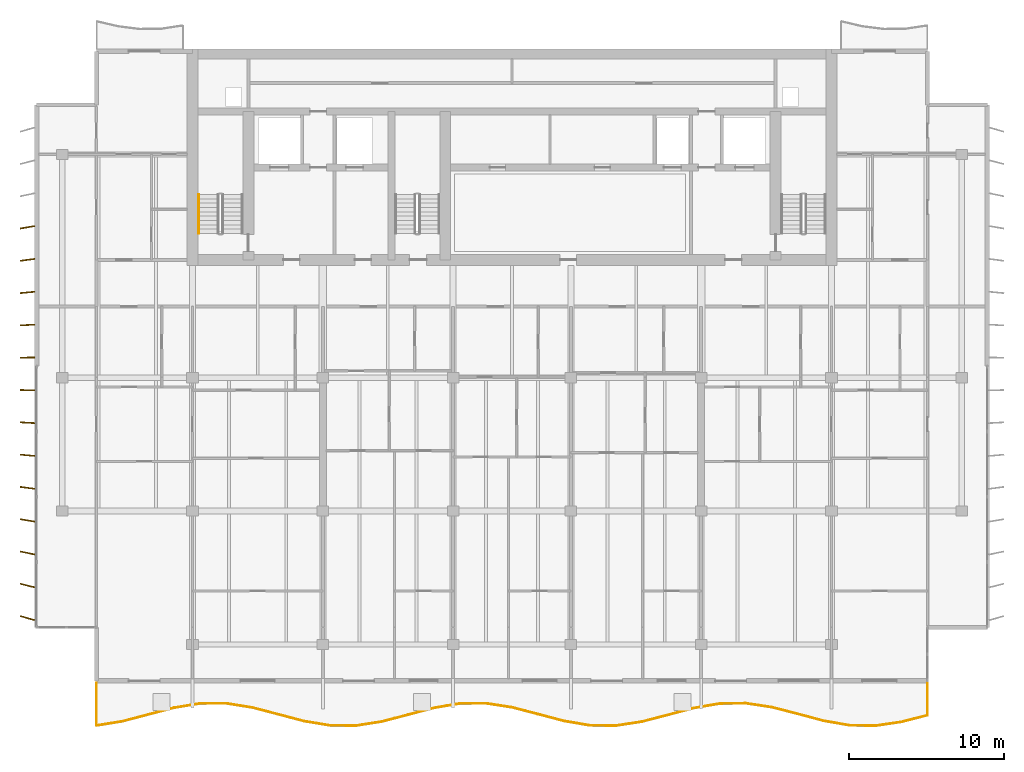
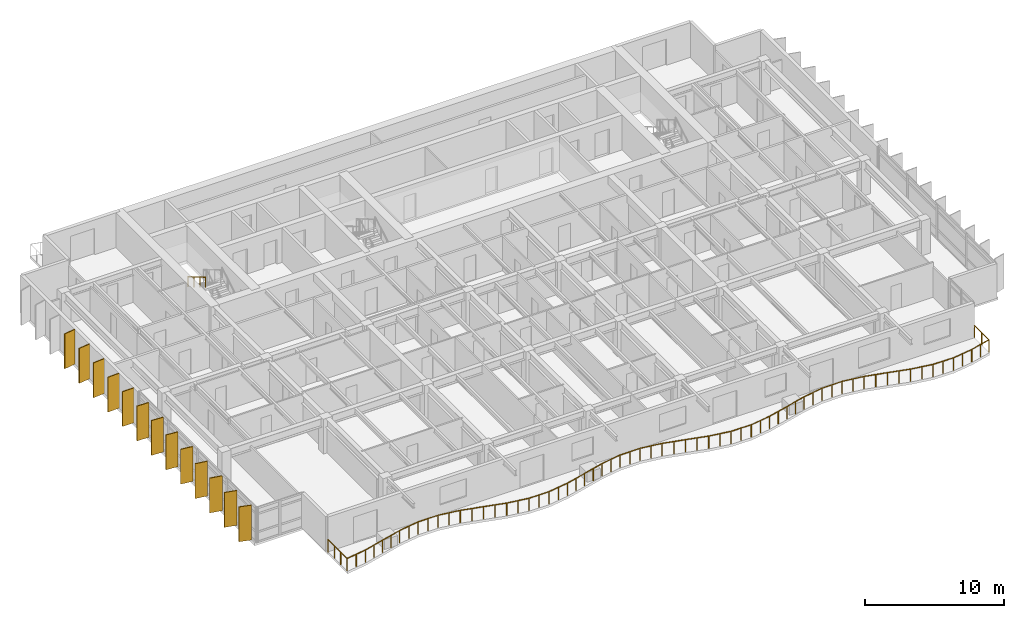
# One storey, part 12 of 17: 13 shading devices, 2 railings.
"""IFC4 building model written with IfcOpenShell, lengths in metres."""

from ifc_helpers import new_model, si_unit, direction, frame, origin, origin_2d, place, context, subcontext, project, spatial, rectangle, circle, extrude, material, material_profile, profile_set, type_object, element, save


model = new_model("IFC4")

# Units and contexts
model_context = context("Model", 3, precision=1e-05, world=origin(), true_north=direction((0.0, 1.0)))
body_context = subcontext(model_context, "Body", "Model", "MODEL_VIEW")
ifc_project = project(units=[si_unit("LENGTHUNIT", "METRE"), si_unit("AREAUNIT", "SQUARE_METRE"), si_unit("VOLUMEUNIT", "CUBIC_METRE"), si_unit("PLANEANGLEUNIT", "RADIAN"), si_unit("MASSUNIT", "GRAM", prefix="KILO")], contexts=[model_context])

# Site, building, storey
site_placement = place(None, origin())
site = spatial("IfcSite", under=ifc_project, at=site_placement, CompositionType="ELEMENT")
building_placement = place(site_placement, origin())
building = spatial("IfcBuilding", under=site, at=building_placement, Name="Caelmar Bay Residences", CompositionType="ELEMENT")
storey_placement = place(building_placement, frame((0.0, 0.0, 236.39990234375)))
storey = spatial("IfcBuildingStorey", under=building, at=storey_placement, Name="L66", CompositionType="ELEMENT", Elevation=236.39990234375)

# Railings
ifc_material_1 = material(Name="Anodised bronze handrail with laminated hurricane glass infill", Category="glass")
railing_type_1 = type_object("IfcRailingType", Name="RL-BAL-1100", PredefinedType="BALUSTRADE", material=ifc_material_1)
railing_1_placement = place(storey_placement, frame((12.10009765625, 9.699951171875, 0.0)))
element("IfcRailing", 1, at=railing_1_placement, inside=storey, type_object=railing_type_1, Name="L66 south Balcony Balustrade", PredefinedType="BALUSTRADE", context=body_context, shape_type="SweptSolid", body=[
    extrude(circle(Radius=0.02392578125, at=origin_2d()), frame((0.0, 0.0, 1.076171875), z_axis=(0.0, -1.0, 0.0), x_axis=(1.0, 0.0, 0.0)), (0.0, 0.0, 1.0), 2.733154296875),
    extrude(circle(Radius=0.02392578125, at=origin_2d()), frame((0.0, -2.733154296875, 1.076171875), z_axis=(0.987138026326, 0.15987031301, 0.0), x_axis=(-0.15987031301, 0.987138026326, 0.0)), (0.0, 0.0, 1.0), 1.696533203125),
    extrude(circle(Radius=0.02392578125, at=origin_2d()), frame((1.6748046875, -2.4619140625, 1.076171875), z_axis=(0.967300607589, 0.25363267644, 0.0), x_axis=(-0.25363267644, 0.967300607589, 0.0)), (0.0, 0.0, 1.0), 1.731689453125),
    extrude(circle(Radius=0.02392578125, at=origin_2d()), frame((3.349853515625, -2.022705078125, 1.076171875), z_axis=(0.967162126657, 0.25416022655, 0.0), x_axis=(-0.25416022655, 0.967162126657, 0.0)), (0.0, 0.0, 1.0), 1.73193359375),
    extrude(circle(Radius=0.02392578125, at=origin_2d()), frame((5.02490234375, -1.58251953125, 1.076171875), z_axis=(0.986867913487, 0.161529320339, 0.0), x_axis=(-0.161529320339, 0.986867913487, 0.0)), (0.0, 0.0, 1.0), 1.697265625),
    extrude(circle(Radius=0.02392578125, at=origin_2d()), frame((6.699951171875, -1.308349609375, 1.076171875), z_axis=(0.999997280849, 0.00233201523, 0.0), x_axis=(-0.00233201523, 0.999997280849, 0.0)), (0.0, 0.0, 1.0), 1.675048828125),
    extrude(circle(Radius=0.02392578125, at=origin_2d()), frame((8.375, -1.304443359375, 1.076171875), z_axis=(0.987454102, -0.157906290072, 0.0), x_axis=(0.157906290072, 0.987454102, 0.0)), (0.0, 0.0, 1.0), 1.696044921875),
    extrude(circle(Radius=0.02392578125, at=origin_2d()), frame((10.0498046875, -1.572265625, 1.076171875), z_axis=(0.967473359595, -0.252972920436, 0.0), x_axis=(0.252972920436, 0.967473359595, 0.0)), (0.0, 0.0, 1.0), 1.7314453125),
    extrude(circle(Radius=0.02392578125, at=origin_2d()), frame((11.724853515625, -2.01025390625, 1.076171875), z_axis=(0.966988676914, -0.254819345264, 0.0), x_axis=(0.254819345264, 0.966988676914, 0.0)), (0.0, 0.0, 1.0), 1.732177734375),
    extrude(circle(Radius=0.02392578125, at=origin_2d()), frame((13.39990234375, -2.45166015625, 1.076171875), z_axis=(0.986545067367, -0.163489541116, 0.0), x_axis=(0.163489541116, 0.986545067367, 0.0)), (0.0, 0.0, 1.0), 1.697998046875),
    extrude(circle(Radius=0.02392578125, at=origin_2d()), frame((15.074951171875, -2.729248046875, 1.076171875), z_axis=(0.999987721509, -0.004955484992, 0.0), x_axis=(0.004955484992, 0.999987721509, 0.0)), (0.0, 0.0, 1.0), 1.675048828125),
    extrude(circle(Radius=0.02392578125, at=origin_2d()), frame((16.75, -2.737548828125, 1.076171875), z_axis=(0.987766467522, 0.155940391301, 0.0), x_axis=(-0.155940391301, 0.987766467522, 0.0)), (0.0, 0.0, 1.0), 1.695556640625),
    extrude(circle(Radius=0.02392578125, at=origin_2d()), frame((18.4248046875, -2.47314453125, 1.076171875), z_axis=(0.967714559403, 0.252048668948, 0.0), x_axis=(-0.252048668948, 0.967714559403, 0.0)), (0.0, 0.0, 1.0), 1.73095703125),
    extrude(circle(Radius=0.02392578125, at=origin_2d()), frame((20.099853515625, -2.036865234375, 1.076171875), z_axis=(0.966780026886, 0.255609819089, 0.0), x_axis=(-0.255609819089, 0.966780026886, 0.0)), (0.0, 0.0, 1.0), 1.732666015625),
    extrude(circle(Radius=0.02392578125, at=origin_2d()), frame((21.77490234375, -1.593994140625, 1.076171875), z_axis=(0.986218543932, 0.16544782744, 0.0), x_axis=(-0.16544782744, 0.986218543932, 0.0)), (0.0, 0.0, 1.0), 1.698486328125),
    extrude(circle(Radius=0.02392578125, at=origin_2d()), frame((23.449951171875, -1.31298828125, 1.076171875), z_axis=(0.999972374031, 0.007433113406, 0.0), x_axis=(-0.007433113406, 0.999972374031, 0.0)), (0.0, 0.0, 1.0), 1.675048828125),
    extrude(circle(Radius=0.02392578125, at=origin_2d()), frame((25.125, -1.300537109375, 1.076171875), z_axis=(0.988118899604, -0.153691379866, 0.0), x_axis=(0.153691379866, 0.988118899604, 0.0)), (0.0, 0.0, 1.0), 1.69482421875),
    extrude(circle(Radius=0.02392578125, at=origin_2d()), frame((26.7998046875, -1.56103515625, 1.076171875), z_axis=(0.967886377615, -0.251388066595, 0.0), x_axis=(0.251388066595, 0.967886377615, 0.0)), (0.0, 0.0, 1.0), 1.730712890625),
    extrude(circle(Radius=0.02392578125, at=origin_2d()), frame((28.474853515625, -1.99609375, 1.076171875), z_axis=(0.966605727396, -0.256268155973, 0.0), x_axis=(0.256268155973, 0.966605727396, 0.0)), (0.0, 0.0, 1.0), 1.73291015625),
    extrude(circle(Radius=0.02392578125, at=origin_2d()), frame((30.14990234375, -2.440185546875, 1.076171875), z_axis=(0.985888354551, -0.167404158731, 0.0), x_axis=(0.167404158731, 0.985888354551, 0.0)), (0.0, 0.0, 1.0), 1.698974609375),
    extrude(circle(Radius=0.02392578125, at=origin_2d()), frame((31.824951171875, -2.724609375, 1.076171875), z_axis=(0.99994943379, -0.010056334489, 0.0), x_axis=(0.010056334489, 0.99994943379, 0.0)), (0.0, 0.0, 1.0), 1.675048828125),
    extrude(circle(Radius=0.02392578125, at=origin_2d()), frame((33.5, -2.741455078125, 1.076171875), z_axis=(0.988401660792, 0.151862295988, 0.0), x_axis=(-0.151862295988, 0.988401660792, 0.0)), (0.0, 0.0, 1.0), 1.6943359375),
    extrude(circle(Radius=0.02392578125, at=origin_2d()), frame((35.1748046875, -2.484130859375, 1.076171875), z_axis=(0.968126267336, 0.250462632928, 0.0), x_axis=(-0.250462632928, 0.968126267336, 0.0)), (0.0, 0.0, 1.0), 1.730224609375),
    extrude(circle(Radius=0.02392578125, at=origin_2d()), frame((36.849853515625, -2.05078125, 1.076171875), z_axis=(0.96646601047, 0.25679456888, 0.0), x_axis=(-0.25679456888, 0.96646601047, 0.0)), (0.0, 0.0, 1.0), 1.733154296875),
    extrude(circle(Radius=0.02392578125, at=origin_2d()), frame((38.52490234375, -1.605712890625, 1.076171875), z_axis=(0.985554510699, 0.169358514519, 0.0), x_axis=(-0.169358514519, 0.985554510699, 0.0)), (0.0, 0.0, 1.0), 1.69970703125),
    extrude(circle(Radius=0.02392578125, at=origin_2d()), frame((40.199951171875, -1.31787109375, 1.076171875), z_axis=(0.999919613837, 0.012679347967, 0.0), x_axis=(-0.012679347967, 0.999919613837, 0.0)), (0.0, 0.0, 1.0), 1.67529296875),
    extrude(circle(Radius=0.02392578125, at=origin_2d()), frame((41.875, -1.296630859375, 1.076171875), z_axis=(0.988745242663, -0.149608974036, 0.0), x_axis=(0.149608974036, 0.988745242663, 0.0)), (0.0, 0.0, 1.0), 1.69384765625),
    extrude(circle(Radius=0.02392578125, at=origin_2d()), frame((43.5498046875, -1.550048828125, 1.076171875), z_axis=(0.968331276877, -0.249668857134, 0.0), x_axis=(0.249668857134, 0.968331276877, 0.0)), (0.0, 0.0, 1.0), 1.729736328125),
    extrude(circle(Radius=0.02392578125, at=origin_2d()), frame((45.224853515625, -1.98193359375, 1.076171875), z_axis=(0.966255973692, -0.257583759785, 0.0), x_axis=(0.257583759785, 0.966255973692, 0.0)), (0.0, 0.0, 1.0), 1.733642578125),
    extrude(circle(Radius=0.02392578125, at=origin_2d()), frame((46.89990234375, -2.428466796875, 1.076171875), z_axis=(0.985217023958, -0.171310874447, 0.0), x_axis=(0.171310874447, 0.985217023958, 0.0)), (0.0, 0.0, 1.0), 1.7001953125),
    extrude(circle(Radius=0.02392578125, at=origin_2d()), frame((48.574951171875, -2.7197265625, 1.076171875), z_axis=(0.999885135187, -0.015156399076, 0.0), x_axis=(0.015156399076, 0.999885135187, 0.0)), (0.0, 0.0, 1.0), 1.67529296875),
    extrude(circle(Radius=0.02392578125, at=origin_2d()), frame((50.25, -2.7451171875, 1.076171875), z_axis=(0.989062896052, 0.147494364819, 0.0), x_axis=(-0.147494364819, 0.989062896052, 0.0)), (0.0, 0.0, 1.0), 1.693359375),
    extrude(circle(Radius=0.02392578125, at=origin_2d()), frame((51.9248046875, -2.495361328125, 1.076171875), z_axis=(0.968535721886, 0.248874577712, 0.0), x_axis=(-0.248874577712, 0.968535721886, 0.0)), (0.0, 0.0, 1.0), 1.7294921875),
    extrude(circle(Radius=0.02392578125, at=origin_2d()), frame((53.599853515625, -2.06494140625, 1.076171875), z_axis=(0.0, 1.0, 0.0), x_axis=(-1.0, 0.0, 0.0)), (0.0, 0.0, 1.0), 2.06494140625),
    extrude(circle(Radius=0.02099609375, at=origin_2d()), origin(), (0.0, 0.0, 1.0), 1.052001953125),
    extrude(circle(Radius=0.02099609375, at=origin_2d()), frame((0.0, -0.9111328125, 0.0)), (0.0, 0.0, 1.0), 1.052001953125),
    extrude(circle(Radius=0.02099609375, at=origin_2d()), frame((0.0, -1.822021484375, 0.0)), (0.0, 0.0, 1.0), 1.052001953125),
    extrude(circle(Radius=0.02099609375, at=origin_2d()), frame((0.0, -2.733154296875, 0.0)), (0.0, 0.0, 1.0), 1.052001953125),
    extrude(circle(Radius=0.02099609375, at=origin_2d()), frame((0.83740234375, -2.59765625, 0.0)), (0.0, 0.0, 1.0), 1.052001953125),
    extrude(circle(Radius=0.02099609375, at=origin_2d()), frame((1.6748046875, -2.4619140625, 0.0)), (0.0, 0.0, 1.0), 1.052001953125),
    extrude(circle(Radius=0.02099609375, at=origin_2d()), frame((2.51220703125, -2.2421875, 0.0)), (0.0, 0.0, 1.0), 1.052001953125),
    extrude(circle(Radius=0.02099609375, at=origin_2d()), frame((3.349853515625, -2.022705078125, 0.0)), (0.0, 0.0, 1.0), 1.052001953125),
    extrude(circle(Radius=0.02099609375, at=origin_2d()), frame((4.1875, -1.802734375, 0.0)), (0.0, 0.0, 1.0), 1.052001953125),
    extrude(circle(Radius=0.02099609375, at=origin_2d()), frame((5.02490234375, -1.58251953125, 0.0)), (0.0, 0.0, 1.0), 1.052001953125),
    extrude(circle(Radius=0.02099609375, at=origin_2d()), frame((5.8623046875, -1.4453125, 0.0)), (0.0, 0.0, 1.0), 1.052001953125),
    extrude(circle(Radius=0.02099609375, at=origin_2d()), frame((6.699951171875, -1.308349609375, 0.0)), (0.0, 0.0, 1.0), 1.052001953125),
    extrude(circle(Radius=0.02099609375, at=origin_2d()), frame((7.53759765625, -1.306396484375, 0.0)), (0.0, 0.0, 1.0), 1.052001953125),
    extrude(circle(Radius=0.02099609375, at=origin_2d()), frame((8.375, -1.304443359375, 0.0)), (0.0, 0.0, 1.0), 1.052001953125),
    extrude(circle(Radius=0.02099609375, at=origin_2d()), frame((9.21240234375, -1.4384765625, 0.0)), (0.0, 0.0, 1.0), 1.052001953125),
    extrude(circle(Radius=0.02099609375, at=origin_2d()), frame((10.0498046875, -1.572265625, 0.0)), (0.0, 0.0, 1.0), 1.052001953125),
    extrude(circle(Radius=0.02099609375, at=origin_2d()), frame((10.88720703125, -1.791259765625, 0.0)), (0.0, 0.0, 1.0), 1.052001953125),
    extrude(circle(Radius=0.02099609375, at=origin_2d()), frame((11.724853515625, -2.01025390625, 0.0)), (0.0, 0.0, 1.0), 1.052001953125),
    extrude(circle(Radius=0.02099609375, at=origin_2d()), frame((12.5625, -2.23095703125, 0.0)), (0.0, 0.0, 1.0), 1.052001953125),
    extrude(circle(Radius=0.02099609375, at=origin_2d()), frame((13.39990234375, -2.45166015625, 0.0)), (0.0, 0.0, 1.0), 1.052001953125),
    extrude(circle(Radius=0.02099609375, at=origin_2d()), frame((14.2373046875, -2.59033203125, 0.0)), (0.0, 0.0, 1.0), 1.052001953125),
    extrude(circle(Radius=0.02099609375, at=origin_2d()), frame((15.074951171875, -2.729248046875, 0.0)), (0.0, 0.0, 1.0), 1.052001953125),
    extrude(circle(Radius=0.02099609375, at=origin_2d()), frame((15.91259765625, -2.7333984375, 0.0)), (0.0, 0.0, 1.0), 1.052001953125),
    extrude(circle(Radius=0.02099609375, at=origin_2d()), frame((16.75, -2.737548828125, 0.0)), (0.0, 0.0, 1.0), 1.052001953125),
    extrude(circle(Radius=0.02099609375, at=origin_2d()), frame((17.58740234375, -2.60546875, 0.0)), (0.0, 0.0, 1.0), 1.052001953125),
    extrude(circle(Radius=0.02099609375, at=origin_2d()), frame((18.4248046875, -2.47314453125, 0.0)), (0.0, 0.0, 1.0), 1.052001953125),
    extrude(circle(Radius=0.02099609375, at=origin_2d()), frame((19.26220703125, -2.2548828125, 0.0)), (0.0, 0.0, 1.0), 1.052001953125),
    extrude(circle(Radius=0.02099609375, at=origin_2d()), frame((20.099853515625, -2.036865234375, 0.0)), (0.0, 0.0, 1.0), 1.052001953125),
    extrude(circle(Radius=0.02099609375, at=origin_2d()), frame((20.9375, -1.8154296875, 0.0)), (0.0, 0.0, 1.0), 1.052001953125),
    extrude(circle(Radius=0.02099609375, at=origin_2d()), frame((21.77490234375, -1.593994140625, 0.0)), (0.0, 0.0, 1.0), 1.052001953125),
    extrude(circle(Radius=0.02099609375, at=origin_2d()), frame((22.6123046875, -1.45361328125, 0.0)), (0.0, 0.0, 1.0), 1.052001953125),
    extrude(circle(Radius=0.02099609375, at=origin_2d()), frame((23.449951171875, -1.31298828125, 0.0)), (0.0, 0.0, 1.0), 1.052001953125),
    extrude(circle(Radius=0.02099609375, at=origin_2d()), frame((24.28759765625, -1.306640625, 0.0)), (0.0, 0.0, 1.0), 1.052001953125),
    extrude(circle(Radius=0.02099609375, at=origin_2d()), frame((25.125, -1.300537109375, 0.0)), (0.0, 0.0, 1.0), 1.052001953125),
    extrude(circle(Radius=0.02099609375, at=origin_2d()), frame((25.96240234375, -1.4306640625, 0.0)), (0.0, 0.0, 1.0), 1.052001953125),
    extrude(circle(Radius=0.02099609375, at=origin_2d()), frame((26.7998046875, -1.56103515625, 0.0)), (0.0, 0.0, 1.0), 1.052001953125),
    extrude(circle(Radius=0.02099609375, at=origin_2d()), frame((27.63720703125, -1.778564453125, 0.0)), (0.0, 0.0, 1.0), 1.052001953125),
    extrude(circle(Radius=0.02099609375, at=origin_2d()), frame((28.474853515625, -1.99609375, 0.0)), (0.0, 0.0, 1.0), 1.052001953125),
    extrude(circle(Radius=0.02099609375, at=origin_2d()), frame((29.3125, -2.21826171875, 0.0)), (0.0, 0.0, 1.0), 1.052001953125),
    extrude(circle(Radius=0.02099609375, at=origin_2d()), frame((30.14990234375, -2.440185546875, 0.0)), (0.0, 0.0, 1.0), 1.052001953125),
    extrude(circle(Radius=0.02099609375, at=origin_2d()), frame((30.9873046875, -2.58251953125, 0.0)), (0.0, 0.0, 1.0), 1.052001953125),
    extrude(circle(Radius=0.02099609375, at=origin_2d()), frame((31.824951171875, -2.724609375, 0.0)), (0.0, 0.0, 1.0), 1.052001953125),
    extrude(circle(Radius=0.02099609375, at=origin_2d()), frame((32.66259765625, -2.73291015625, 0.0)), (0.0, 0.0, 1.0), 1.052001953125),
    extrude(circle(Radius=0.02099609375, at=origin_2d()), frame((33.5, -2.741455078125, 0.0)), (0.0, 0.0, 1.0), 1.052001953125),
    extrude(circle(Radius=0.02099609375, at=origin_2d()), frame((34.33740234375, -2.61279296875, 0.0)), (0.0, 0.0, 1.0), 1.052001953125),
    extrude(circle(Radius=0.02099609375, at=origin_2d()), frame((35.1748046875, -2.484130859375, 0.0)), (0.0, 0.0, 1.0), 1.052001953125),
    extrude(circle(Radius=0.02099609375, at=origin_2d()), frame((36.01220703125, -2.267578125, 0.0)), (0.0, 0.0, 1.0), 1.052001953125),
    extrude(circle(Radius=0.02099609375, at=origin_2d()), frame((36.849853515625, -2.05078125, 0.0)), (0.0, 0.0, 1.0), 1.052001953125),
    extrude(circle(Radius=0.02099609375, at=origin_2d()), frame((37.6875, -1.828125, 0.0)), (0.0, 0.0, 1.0), 1.052001953125),
    extrude(circle(Radius=0.02099609375, at=origin_2d()), frame((38.52490234375, -1.605712890625, 0.0)), (0.0, 0.0, 1.0), 1.052001953125),
    extrude(circle(Radius=0.02099609375, at=origin_2d()), frame((39.3623046875, -1.4619140625, 0.0)), (0.0, 0.0, 1.0), 1.052001953125),
    extrude(circle(Radius=0.02099609375, at=origin_2d()), frame((40.199951171875, -1.31787109375, 0.0)), (0.0, 0.0, 1.0), 1.052001953125),
    extrude(circle(Radius=0.02099609375, at=origin_2d()), frame((41.03759765625, -1.30712890625, 0.0)), (0.0, 0.0, 1.0), 1.052001953125),
    extrude(circle(Radius=0.02099609375, at=origin_2d()), frame((41.875, -1.296630859375, 0.0)), (0.0, 0.0, 1.0), 1.052001953125),
    extrude(circle(Radius=0.02099609375, at=origin_2d()), frame((42.71240234375, -1.42333984375, 0.0)), (0.0, 0.0, 1.0), 1.052001953125),
    extrude(circle(Radius=0.02099609375, at=origin_2d()), frame((43.5498046875, -1.550048828125, 0.0)), (0.0, 0.0, 1.0), 1.052001953125),
    extrude(circle(Radius=0.02099609375, at=origin_2d()), frame((44.38720703125, -1.76611328125, 0.0)), (0.0, 0.0, 1.0), 1.052001953125),
    extrude(circle(Radius=0.02099609375, at=origin_2d()), frame((45.224853515625, -1.98193359375, 0.0)), (0.0, 0.0, 1.0), 1.052001953125),
    extrude(circle(Radius=0.02099609375, at=origin_2d()), frame((46.0625, -2.205078125, 0.0)), (0.0, 0.0, 1.0), 1.052001953125),
    extrude(circle(Radius=0.02099609375, at=origin_2d()), frame((46.89990234375, -2.428466796875, 0.0)), (0.0, 0.0, 1.0), 1.052001953125),
    extrude(circle(Radius=0.02099609375, at=origin_2d()), frame((47.7373046875, -2.57421875, 0.0)), (0.0, 0.0, 1.0), 1.052001953125),
    extrude(circle(Radius=0.02099609375, at=origin_2d()), frame((48.574951171875, -2.7197265625, 0.0)), (0.0, 0.0, 1.0), 1.052001953125),
    extrude(circle(Radius=0.02099609375, at=origin_2d()), frame((49.41259765625, -2.732421875, 0.0)), (0.0, 0.0, 1.0), 1.052001953125),
    extrude(circle(Radius=0.02099609375, at=origin_2d()), frame((50.25, -2.7451171875, 0.0)), (0.0, 0.0, 1.0), 1.052001953125),
    extrude(circle(Radius=0.02099609375, at=origin_2d()), frame((51.08740234375, -2.6201171875, 0.0)), (0.0, 0.0, 1.0), 1.052001953125),
    extrude(circle(Radius=0.02099609375, at=origin_2d()), frame((51.9248046875, -2.495361328125, 0.0)), (0.0, 0.0, 1.0), 1.052001953125),
    extrude(circle(Radius=0.02099609375, at=origin_2d()), frame((52.76220703125, -2.2802734375, 0.0)), (0.0, 0.0, 1.0), 1.052001953125),
    extrude(circle(Radius=0.02099609375, at=origin_2d()), frame((53.599853515625, -2.06494140625, 0.0)), (0.0, 0.0, 1.0), 1.052001953125),
    extrude(circle(Radius=0.02099609375, at=origin_2d()), frame((53.599853515625, -1.032470703125, 0.0)), (0.0, 0.0, 1.0), 1.052001953125),
    extrude(circle(Radius=0.02099609375, at=origin_2d()), frame((53.599853515625, 0.0, 0.0)), (0.0, 0.0, 1.0), 1.052001953125),
])
ifc_material_2 = material(Name="Brushed bronze stainless-steel tubular handrail 900 mm", Category="steel")
railing_type_2 = type_object("IfcRailingType", Name="RL-HND-900", PredefinedType="HANDRAIL", material=ifc_material_2)
railing_2_placement = place(storey_placement, frame((18.699951171875, 41.219970703125, 1.815185546875)))
element("IfcRailing", 2, at=railing_2_placement, inside=storey, type_object=railing_type_2, Name="L66 ST1 stair handrail 2", PredefinedType="HANDRAIL", context=body_context, shape_type="SweptSolid", body=[
    extrude(circle(Radius=0.02392578125, at=origin_2d()), frame((0.0, 0.0, 0.8759765625), z_axis=(0.0, -0.861560626758, 0.507654692109), x_axis=(1.0, 0.0, 0.0)), (0.0, 0.0, 1.0), 2.925048828125),
    extrude(circle(Radius=0.02099609375, at=origin_2d()), origin(), (0.0, 0.0, 1.0), 0.851806640625),
    extrude(circle(Radius=0.02099609375, at=origin_2d()), frame((0.0, -0.840087890625, 0.494873046875)), (0.0, 0.0, 1.0), 0.851806640625),
    extrude(circle(Radius=0.02099609375, at=origin_2d()), frame((0.0, -1.679931640625, 0.989990234375)), (0.0, 0.0, 1.0), 0.851806640625),
    extrude(circle(Radius=0.02099609375, at=origin_2d()), frame((0.0, -2.52001953125, 1.48486328125)), (0.0, 0.0, 1.0), 0.851806640625),
])

# Shading devices
ifc_material_3 = material(Name="Anodised architectural bronze aluminium 6063-T6", Category="aluminium")
ifc_material_profile = material_profile(ifc_material_3, rectangle(XDim=0.074951171875, YDim=0.949951171875, at=origin_2d()), Name="BRONZE-FIN-75X950")
ifc_profile_set = profile_set([ifc_material_profile], Name="Anodised architectural bronze aluminium 6063-T6")
shading_device_type = type_object("IfcShadingDeviceType", Name="SHD-FIN-950", PredefinedType="USERDEFINED", material=ifc_profile_set)
for number, where, z_axis, x_axis, name in (
    (3, (7.64990234375, 13.89990234375, 0.0), (0.0, 0.0, 1.0), (0.275637355817, 0.961261695938, 0.0), "L66 West Bronze Solar Fin 1"),
    (4, (7.64990234375, 16.0, 0.0), (0.0, 0.0, 1.0), (0.239719743609, 0.970842131618, 0.0), "L66 West Bronze Solar Fin 2"),
    (5, (7.64990234375, 18.10009765625, 0.0), (0.0, 0.0, 1.0), (0.2032999874, 0.979116497217, 0.0), "L66 West Bronze Solar Fin 3"),
    (6, (7.64990234375, 20.199951171875, 0.0), (0.0, 0.0, 1.0), (0.166768746716, 0.985996037071, 0.0), "L66 West Bronze Solar Fin 4"),
    (7, (7.64990234375, 22.300048828125, 0.0), (0.0, 0.0, 1.0), (0.130007055036, 0.99151306882, 0.0), "L66 West Bronze Solar Fin 5"),
    (8, (7.64990234375, 24.39990234375, 0.0), (0.0, 0.0, 1.0), (0.092891934994, 0.995676196569, 0.0), "L66 West Bronze Solar Fin 6"),
    (9, (7.64990234375, 26.5, 0.0), (0.0, 0.0, 1.0), (0.055821504993, 0.998440764182, 0.0), "L66 West Bronze Solar Fin 7"),
    (10, (7.64990234375, 28.60009765625, 0.0), (0.0, 0.0, 1.0), (0.018673937509, 0.999825626826, 0.0), "L66 West Bronze Solar Fin 8"),
    (11, (7.64990234375, 30.699951171875, 0.0), (0.0, 0.0, 1.0), (-0.018673937509, 0.999825626826, 0.0), "L66 West Bronze Solar Fin 9"),
    (12, (7.64990234375, 32.800048828125, 0.0), (0.0, 0.0, 1.0), (-0.055821504993, 0.998440764182, 0.0), "L66 West Bronze Solar Fin 10"),
    (13, (7.64990234375, 34.89990234375, 0.0), (0.0, 0.0, 1.0), (-0.092891934994, 0.995676196569, 0.0), "L66 West Bronze Solar Fin 11"),
    (14, (7.64990234375, 37.0, 0.0), (0.0, 0.0, 1.0), (-0.130007055036, 0.99151306882, 0.0), "L66 West Bronze Solar Fin 12"),
    (15, (7.64990234375, 39.10009765625, 0.0), (0.0, 0.0, 1.0), (-0.166768746716, 0.985996037071, 0.0), "L66 West Bronze Solar Fin 13"),
):
    element("IfcShadingDevice", number, at=place(storey_placement, frame(where, z_axis=z_axis, x_axis=x_axis)), inside=storey, type_object=shading_device_type, Name=name, ObjectType="FIN", PredefinedType="USERDEFINED", context=body_context, shape_type="SweptSolid", body=[
        extrude(rectangle(XDim=0.074951171875, YDim=0.949951171875, at=origin_2d()), origin(), (0.0, 0.0, 1.0), 3.050048828125),
    ])

save(model, "model.ifc")
